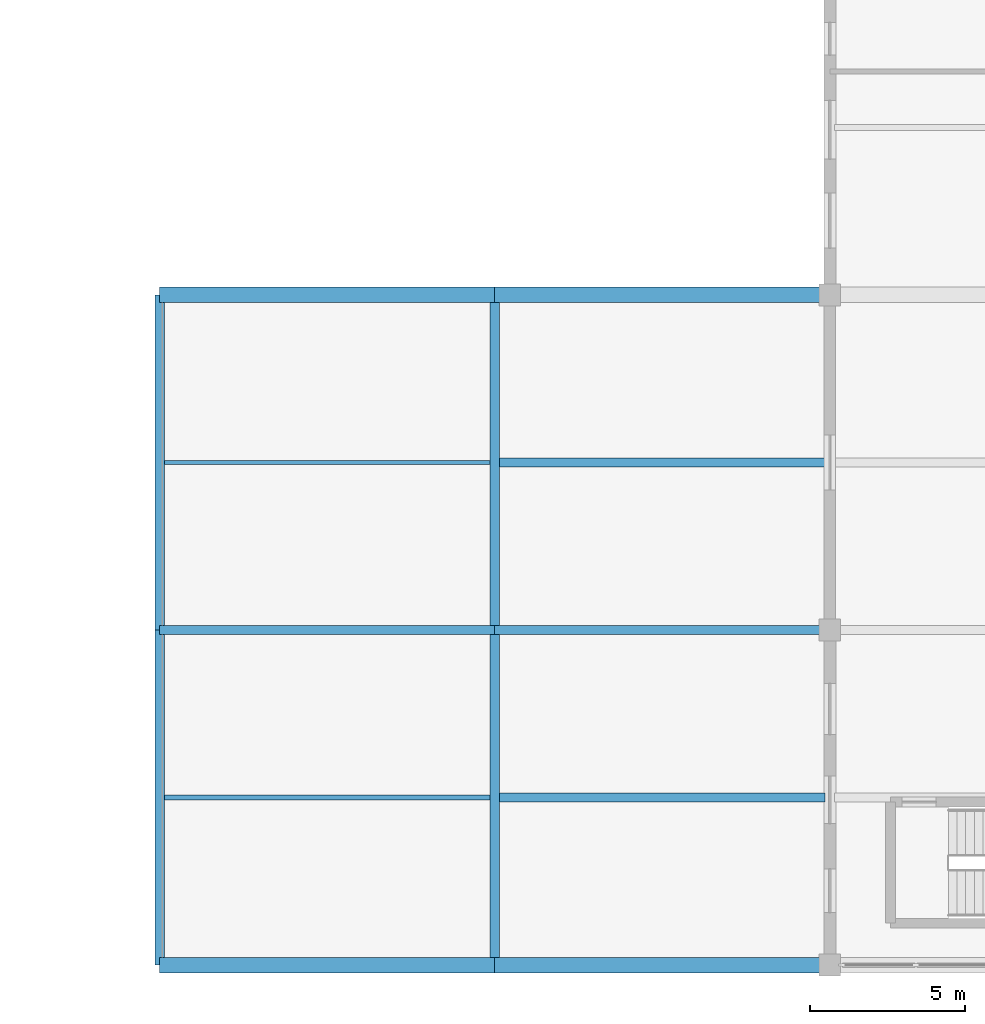
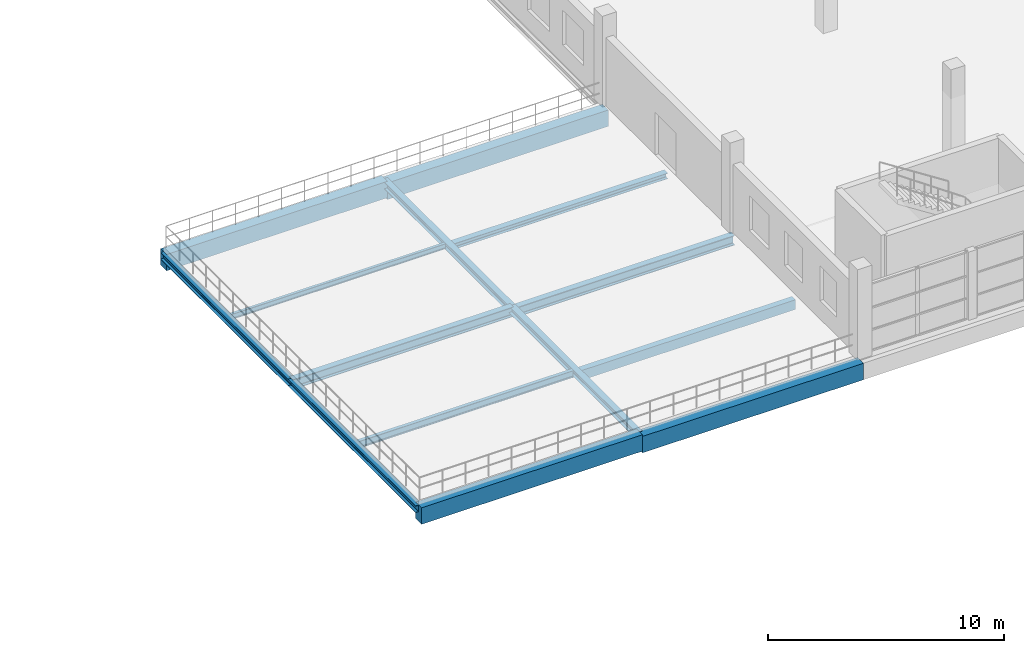
# One storey, part 21 of 142: 14 beams.
"""IFC4 building model written with IfcOpenShell, lengths in metres."""

from ifc_helpers import new_model, si_unit, direction, frame, origin, origin_2d, place, context, subcontext, project, spatial, rectangle, i_section, extrude, material, material_profile, profile_set, type_object, element, save


model = new_model("IFC4")

# Units and contexts
model_context = context("Model", 3, precision=1e-05, world=origin(), true_north=direction((0.0, 1.0)))
body_context = subcontext(model_context, "Body", "Model", "MODEL_VIEW")
ifc_project = project(units=[si_unit("LENGTHUNIT", "METRE"), si_unit("AREAUNIT", "SQUARE_METRE"), si_unit("VOLUMEUNIT", "CUBIC_METRE"), si_unit("PLANEANGLEUNIT", "RADIAN"), si_unit("MASSUNIT", "GRAM", prefix="KILO")], contexts=[model_context])

# Site, building, storey
site_placement = place(None, origin())
site = spatial("IfcSite", under=ifc_project, at=site_placement, CompositionType="ELEMENT")
building_placement = place(site_placement, origin())
building = spatial("IfcBuilding", under=site, at=building_placement, Name="Zwinboog Wholesale Market", CompositionType="ELEMENT")
storey_placement = place(building_placement, frame((0.0, 0.0, 5.39990234375)))
storey = spatial("IfcBuildingStorey", under=building, at=storey_placement, Name="L01", CompositionType="ELEMENT", Elevation=5.39990234375)

# Beams
ifc_material_1 = material(Name="Precast concrete C45/55", Category="concrete")
ifc_material_profile_1 = material_profile(ifc_material_1, rectangle(XDim=0.5, YDim=0.85009765625, at=origin_2d()), Name="PC 500x850")
ifc_profile_set_1 = profile_set([ifc_material_profile_1], Name="Precast concrete C45/55")
beam_type_1 = type_object("IfcBeamType", Name="BT-03", PredefinedType="BEAM", material=ifc_profile_set_1)
for number, where, z_axis, x_axis, name in (
    (1, (108.0, 0.0, -0.6669921875), (1.0, 0.0, 0.0), (0.0, 1.0, 0.0), "BG-03 (BM-TER-L01-0047)"),
    (2, (118.800048828125, 0.0, -0.7568359375), (1.0, 0.0, 0.0), (0.0, 1.0, 0.0), "BG-03 (BM-TER-L01-0048)"),
    (3, (108.0, 21.60009765625, -0.6669921875), (1.0, 0.0, 0.0), (0.0, 1.0, 0.0), "BG-03 (BM-TER-L01-0051)"),
    (4, (118.800048828125, 21.60009765625, -0.7568359375), (1.0, 0.0, 0.0), (0.0, 1.0, 0.0), "BG-03 (BM-TER-L01-0052)"),
):
    element("IfcBeam", number, at=place(storey_placement, frame(where, z_axis=z_axis, x_axis=x_axis)), inside=storey, type_object=beam_type_1, Name=name, PredefinedType="BEAM", context=body_context, shape_type="SweptSolid", body=[
        extrude(rectangle(XDim=0.5, YDim=0.85009765625, at=origin_2d()), origin(), (0.0, 0.0, 1.0), 10.800048828125),
    ])
ifc_material_profile_2 = material_profile(ifc_material_1, rectangle(XDim=0.300048828125, YDim=0.5, at=origin_2d()), Name="PC 300x500")
ifc_profile_set_2 = profile_set([ifc_material_profile_2], Name="Precast concrete C45/55")
beam_type_2 = type_object("IfcBeamType", Name="BT-10", PredefinedType="JOIST", material=ifc_profile_set_2)
beam_1_placement = place(storey_placement, frame((118.949951171875, 5.39990234375, -0.581787109375), z_axis=(1.0, 0.0, 0.0), x_axis=(0.0, 1.0, 0.0)))
element("IfcBeam", 5, at=beam_1_placement, inside=storey, type_object=beam_type_2, Name="BJ-01 (BM-TER-L01-0067)", PredefinedType="JOIST", context=body_context, shape_type="SweptSolid", body=[
    extrude(rectangle(XDim=0.300048828125, YDim=0.5, at=origin_2d()), origin(), (0.0, 0.0, 1.0), 10.5),
])
ifc_material_2 = material(Name="Steel S355", Category="steel")
ifc_material_profile_3 = material_profile(ifc_material_2, i_section(OverallWidth=0.300048828125, OverallDepth=0.5, WebThickness=0.014404296875, FlangeThickness=0.028076171875, FilletRadius=0.027099609375, at=origin_2d()), Name="HEB 500")
ifc_profile_set_3 = profile_set([ifc_material_profile_3], Name="Steel S355")
beam_type_3 = type_object("IfcBeamType", Name="BT-14", PredefinedType="BEAM", material=ifc_profile_set_3)
for number, where, z_axis, x_axis, name in (
    (6, (108.0, 10.800048828125, -0.491943359375), (1.0, 0.0, 0.0), (0.0, 1.0, 0.0), "SB-01 (BM-TER-L01-0049)"),
    (7, (118.800048828125, 10.800048828125, -0.581787109375), (1.0, 0.0, 0.0), (0.0, 1.0, 0.0), "SB-01 (BM-TER-L01-0050)"),
):
    element("IfcBeam", number, at=place(storey_placement, frame(where, z_axis=z_axis, x_axis=x_axis)), inside=storey, type_object=beam_type_3, Name=name, PredefinedType="BEAM", context=body_context, shape_type="SweptSolid", body=[
        extrude(i_section(OverallWidth=0.300048828125, OverallDepth=0.5, WebThickness=0.014404296875, FlangeThickness=0.028076171875, FilletRadius=0.027099609375, at=origin_2d()), origin(), (0.0, 0.0, 1.0), 10.800048828125),
    ])
ifc_material_profile_4 = material_profile(ifc_material_2, i_section(OverallWidth=0.300048828125, OverallDepth=0.35009765625, WebThickness=0.010009765625, FlangeThickness=0.017578125, FilletRadius=0.027099609375, at=origin_2d()), Name="HEA 360")
ifc_profile_set_4 = profile_set([ifc_material_profile_4], Name="Steel S355")
beam_type_4 = type_object("IfcBeamType", Name="BT-17", PredefinedType="BEAM", material=ifc_profile_set_4)
for number, where, z_axis, x_axis, name in (
    (8, (108.0, 0.0, -0.4169921875), (0.0, 1.0, 0.0), (-1.0, 0.0, 0.0), "SB-04 (BM-TER-L01-0057)"),
    (9, (108.0, 10.800048828125, -0.4169921875), (0.0, 1.0, 0.0), (-1.0, 0.0, 0.0), "SB-04 (BM-TER-L01-0058)"),
    (10, (118.800048828125, 0.0, -0.4169921875), (0.0, 1.0, 0.0), (-1.0, 0.0, 0.0), "SB-04 (BM-TER-L01-0059)"),
    (11, (118.800048828125, 10.800048828125, -0.4169921875), (0.0, 1.0, 0.0), (-1.0, 0.0, 0.0), "SB-04 (BM-TER-L01-0060)"),
):
    element("IfcBeam", number, at=place(storey_placement, frame(where, z_axis=z_axis, x_axis=x_axis)), inside=storey, type_object=beam_type_4, Name=name, PredefinedType="BEAM", context=body_context, shape_type="SweptSolid", body=[
        extrude(i_section(OverallWidth=0.300048828125, OverallDepth=0.35009765625, WebThickness=0.010009765625, FlangeThickness=0.017578125, FilletRadius=0.027099609375, at=origin_2d()), origin(), (0.0, 0.0, 1.0), 10.800048828125),
    ])
ifc_material_profile_5 = material_profile(ifc_material_2, i_section(OverallWidth=0.300048828125, OverallDepth=0.2900390625, WebThickness=0.008544921875, FlangeThickness=0.013916015625, FilletRadius=0.027099609375, at=origin_2d()), Name="HEA 300")
ifc_profile_set_5 = profile_set([ifc_material_profile_5], Name="Steel S355")
beam_type_5 = type_object("IfcBeamType", Name="BT-18", PredefinedType="JOIST", material=ifc_profile_set_5)
beam_2_placement = place(storey_placement, frame((118.949951171875, 16.199951171875, -0.476806640625), z_axis=(1.0, 0.0, 0.0), x_axis=(0.0, 1.0, 0.0)))
element("IfcBeam", 12, at=beam_2_placement, inside=storey, type_object=beam_type_5, Name="SJ-01 (BM-TER-L01-0068)", PredefinedType="JOIST", context=body_context, shape_type="SweptSolid", body=[
    extrude(i_section(OverallWidth=0.300048828125, OverallDepth=0.2900390625, WebThickness=0.008544921875, FlangeThickness=0.013916015625, FilletRadius=0.027099609375, at=origin_2d()), origin(), (0.0, 0.0, 1.0), 10.5),
])
ifc_material_profile_6 = material_profile(ifc_material_2, i_section(OverallWidth=0.169921875, OverallDepth=0.360107421875, WebThickness=0.008056640625, FlangeThickness=0.0126953125, FilletRadius=0.01806640625, at=origin_2d()), Name="IPE 360")
ifc_profile_set_6 = profile_set([ifc_material_profile_6], Name="Steel S355")
beam_type_6 = type_object("IfcBeamType", Name="BT-20", PredefinedType="JOIST", material=ifc_profile_set_6)
beam_3_placement = place(storey_placement, frame((108.14990234375, 5.39990234375, -0.421875), z_axis=(1.0, 0.0, 0.0), x_axis=(0.0, 1.0, 0.0)))
element("IfcBeam", 13, at=beam_3_placement, inside=storey, type_object=beam_type_6, Name="SJ-03 (BM-TER-L01-0065)", PredefinedType="JOIST", context=body_context, shape_type="SweptSolid", body=[
    extrude(i_section(OverallWidth=0.169921875, OverallDepth=0.360107421875, WebThickness=0.008056640625, FlangeThickness=0.0126953125, FilletRadius=0.01806640625, at=origin_2d()), origin(), (0.0, 0.0, 1.0), 10.5),
])
ifc_material_profile_7 = material_profile(ifc_material_2, i_section(OverallWidth=0.135009765625, OverallDepth=0.27001953125, WebThickness=0.006591796875, FlangeThickness=0.01025390625, FilletRadius=0.014892578125, at=origin_2d()), Name="IPE 270")
ifc_profile_set_7 = profile_set([ifc_material_profile_7], Name="Steel S355")
beam_type_7 = type_object("IfcBeamType", Name="BT-21", PredefinedType="JOIST", material=ifc_profile_set_7)
beam_4_placement = place(storey_placement, frame((108.14990234375, 16.199951171875, -0.376953125), z_axis=(1.0, 0.0, 0.0), x_axis=(0.0, 1.0, 0.0)))
element("IfcBeam", 14, at=beam_4_placement, inside=storey, type_object=beam_type_7, Name="SJ-04 (BM-TER-L01-0066)", PredefinedType="JOIST", context=body_context, shape_type="SweptSolid", body=[
    extrude(i_section(OverallWidth=0.135009765625, OverallDepth=0.27001953125, WebThickness=0.006591796875, FlangeThickness=0.01025390625, FilletRadius=0.014892578125, at=origin_2d()), origin(), (0.0, 0.0, 1.0), 10.5),
])

save(model, "model.ifc")
